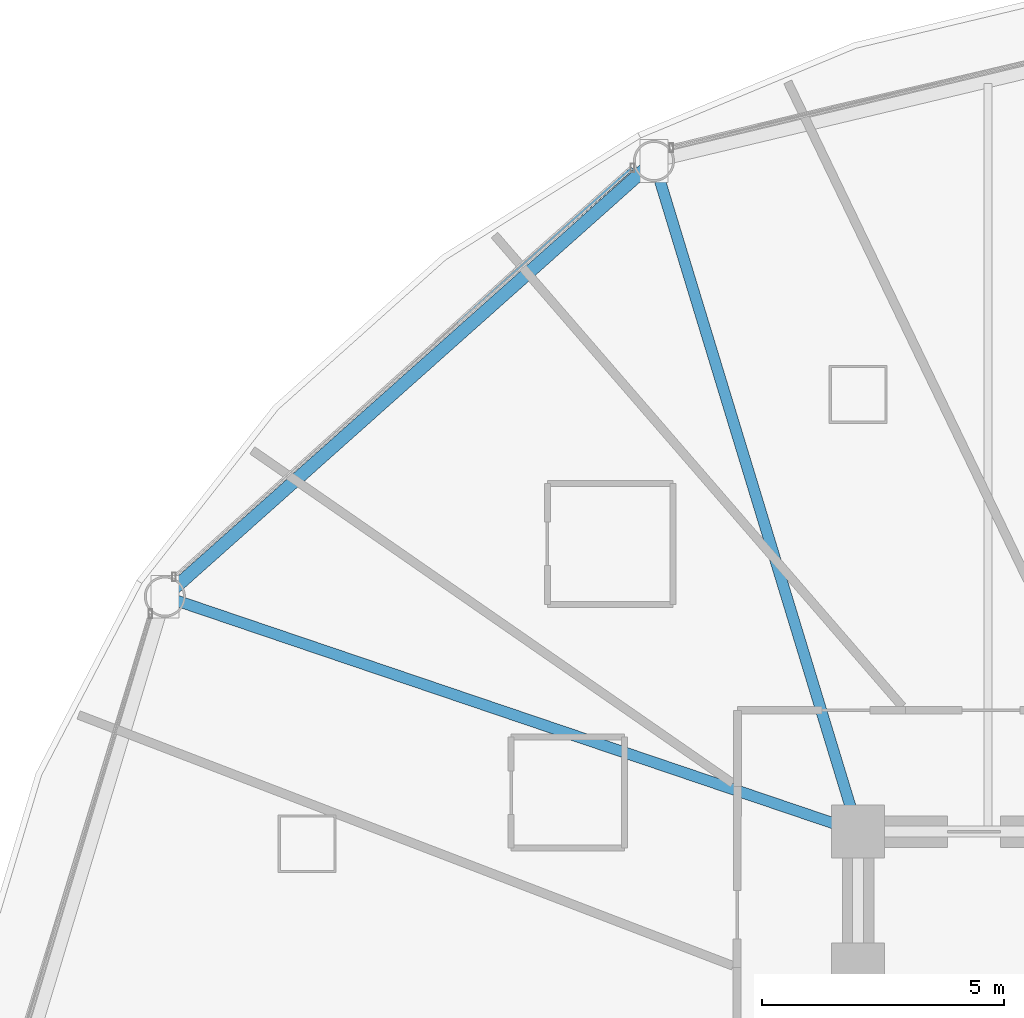
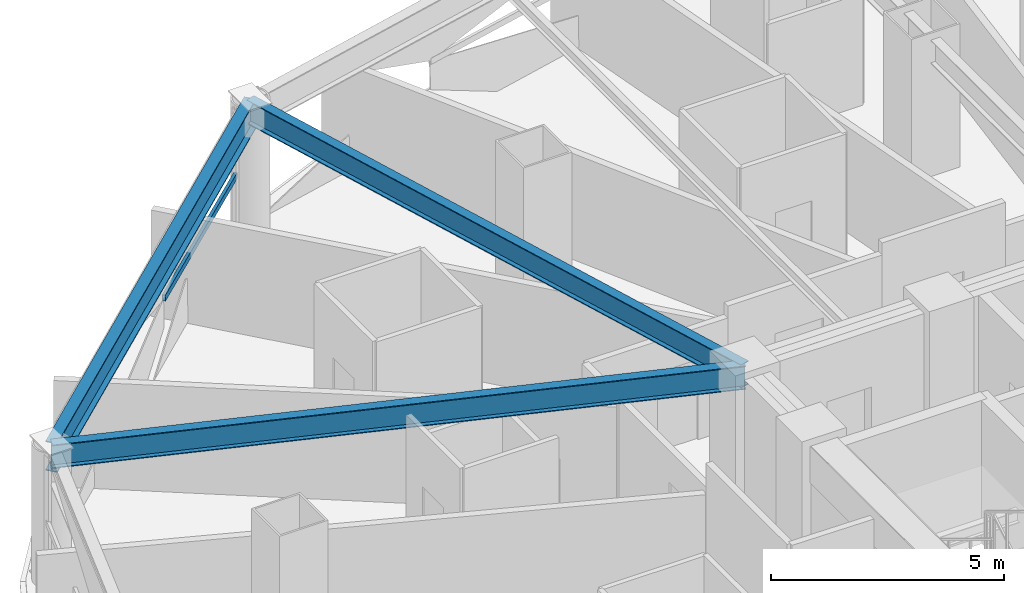
# One storey, part 14 of 33: 3 beams, 1 member, 1 element without a shape of its own.
"""IFC4 building model written with IfcOpenShell, lengths in metres."""

from ifc_helpers import new_model, si_unit, direction, frame, origin, origin_2d, place, context, subcontext, project, spatial, hollow_rectangle, i_section, extrude, material, layer, layer_set, material_profile, profile_set, type_object, element, aggregate, save


model = new_model("IFC4")

# Units and contexts
model_context = context("Model", 3, precision=1e-05, world=origin(), true_north=direction((0.0, 1.0)))
body_context = subcontext(model_context, "Body", "Model", "MODEL_VIEW")
ifc_project = project(units=[si_unit("LENGTHUNIT", "METRE"), si_unit("AREAUNIT", "SQUARE_METRE"), si_unit("VOLUMEUNIT", "CUBIC_METRE"), si_unit("PLANEANGLEUNIT", "RADIAN"), si_unit("MASSUNIT", "GRAM", prefix="KILO")], contexts=[model_context])

# Site, building, storey
site_placement = place(None, origin())
site = spatial("IfcSite", under=ifc_project, at=site_placement, CompositionType="ELEMENT")
building_placement = place(site_placement, origin())
building = spatial("IfcBuilding", under=site, at=building_placement, Name="Vantalir Tower", CompositionType="ELEMENT")
storey_placement = place(building_placement, frame((0.0, 0.0, 68.25)))
storey = spatial("IfcBuildingStorey", under=building, at=storey_placement, Name="L16", CompositionType="ELEMENT", Elevation=68.25)

# Beams
ifc_material_1 = material(Name="Steel S355", Category="steel")
ifc_material_profile_1 = material_profile(ifc_material_1, i_section(OverallWidth=0.22998046875, OverallDepth=0.616943359375, WebThickness=0.01318359375, FlangeThickness=0.022216796875, at=origin_2d()), Name="Steel S355")
ifc_profile_set_1 = profile_set([ifc_material_profile_1], Name="Steel S355")
beam_type_1 = type_object("IfcBeamType", Name="BM-RB-610x229", PredefinedType="BEAM", material=ifc_profile_set_1)
beam_1_placement = place(storey_placement, frame((17.675048828125, 46.3291015625, 3.261962890625), z_axis=(0.29120982872, -0.956659205599, 0.0), x_axis=(0.956659205599, 0.29120982872, 0.0)))
element("IfcBeam", 1, at=beam_1_placement, inside=storey, type_object=beam_type_1, Name="L16 Radial Floor Beam 05", PredefinedType="BEAM", context=body_context, shape_type="SweptSolid", body=[
    extrude(i_section(OverallWidth=0.22998046875, OverallDepth=0.616943359375, WebThickness=0.01318359375, FlangeThickness=0.022216796875, at=origin_2d()), origin(), (0.0, 0.0, 1.0), 14.508056640625),
])
beam_2_placement = place(storey_placement, frame((7.553955078125, 37.31396484375, 3.261962890625), z_axis=(0.947046193485, -0.321097348799, 0.0), x_axis=(0.321097348799, 0.947046193485, 0.0)))
element("IfcBeam", 2, at=beam_2_placement, inside=storey, type_object=beam_type_1, Name="L16 Radial Floor Beam 06", PredefinedType="BEAM", context=body_context, shape_type="SweptSolid", body=[
    extrude(i_section(OverallWidth=0.22998046875, OverallDepth=0.616943359375, WebThickness=0.01318359375, FlangeThickness=0.022216796875, at=origin_2d()), origin(), (0.0, 0.0, 1.0), 15.148193359375),
])
ifc_material_2 = material(Name="Steel S460", Category="steel")
ifc_material_profile_2 = material_profile(ifc_material_2, i_section(OverallWidth=0.26806640625, OverallDepth=0.77001953125, WebThickness=0.015625, FlangeThickness=0.025390625, at=origin_2d()), Name="Steel S460")
ifc_profile_set_2 = profile_set([ifc_material_profile_2], Name="Steel S460")
beam_type_2 = type_object("IfcBeamType", Name="BM-RG-762x267", PredefinedType="USERDEFINED", material=ifc_profile_set_2)
beam_3_placement = place(storey_placement, frame((17.675048828125, 46.3291015625, 3.18505859375), z_axis=(-0.746727182206, -0.665130449878, 0.0), x_axis=(0.665130449878, -0.746727182206, 0.0)))
element("IfcBeam", 3, at=beam_3_placement, inside=storey, type_object=beam_type_2, Name="L16 Circumferential Ring Girder 05", ObjectType="GIRDER", PredefinedType="USERDEFINED", context=body_context, shape_type="SweptSolid", body=[
    extrude(i_section(OverallWidth=0.26806640625, OverallDepth=0.77001953125, WebThickness=0.015625, FlangeThickness=0.025390625, at=origin_2d()), origin(), (0.0, 0.0, 1.0), 13.553955078125),
])

# Curtain wall, member
ifc_material_3 = material(Name="Champagne-silver PVDF aluminium and double-silver Low-E glass", Category="aluminium")
ifc_layer = layer(ifc_material_3, 0.18994140625)
ifc_layer_set = layer_set([ifc_layer], Name="Champagne-silver PVDF aluminium and double-silver Low-E glass")
curtain_wall_type = type_object("IfcCurtainWallType", Name="CW-DIAMOND-Z1", PredefinedType="USERDEFINED", material=ifc_layer_set)
curtain_wall_placement = place(storey_placement, origin())
curtain_wall = element("IfcCurtainWall", 4, at=curtain_wall_placement, inside=storey, type_object=curtain_wall_type, Name="L16 Quilted Pyramid-Diamond Curtain Wall S05", ObjectType="UNITISED CURTAIN WALL", PredefinedType="USERDEFINED")
ifc_material_4 = material(Name="Champagne-silver PVDF aluminium 6063-T6", Category="aluminium")
ifc_material_profile_3 = material_profile(ifc_material_4, hollow_rectangle(XDim=0.074951171875, YDim=0.159912109375, WallThickness=0.00390625, at=origin_2d()), Name="Champagne-silver PVDF aluminium 6063-T6")
ifc_profile_set_3 = profile_set([ifc_material_profile_3], Name="Champagne-silver PVDF aluminium 6063-T6")
member_type = type_object("IfcMemberType", Name="CWT-160x75", PredefinedType="USERDEFINED", material=ifc_profile_set_3)
member_placement = place(storey_placement, frame((17.22900390625, 46.180908203125, 1.784912109375), z_axis=(-0.749727239605, -0.661746980495, 0.0), x_axis=(0.661746980495, -0.749727239605, 0.0)))
member = element("IfcMember", 5, at=member_placement, type_object=member_type, Name="CW-L16-S05 Pyramid Fold Ridge Transom", ObjectType="TRANSOM", PredefinedType="USERDEFINED", context=body_context, shape_type="SweptSolid", body=[
    extrude(hollow_rectangle(XDim=0.074951171875, YDim=0.159912109375, WallThickness=0.00390625, at=origin_2d()), origin(), (0.0, 0.0, 1.0), 4.831298828125),
])
aggregate(curtain_wall, [member])

save(model, "model.ifc")
